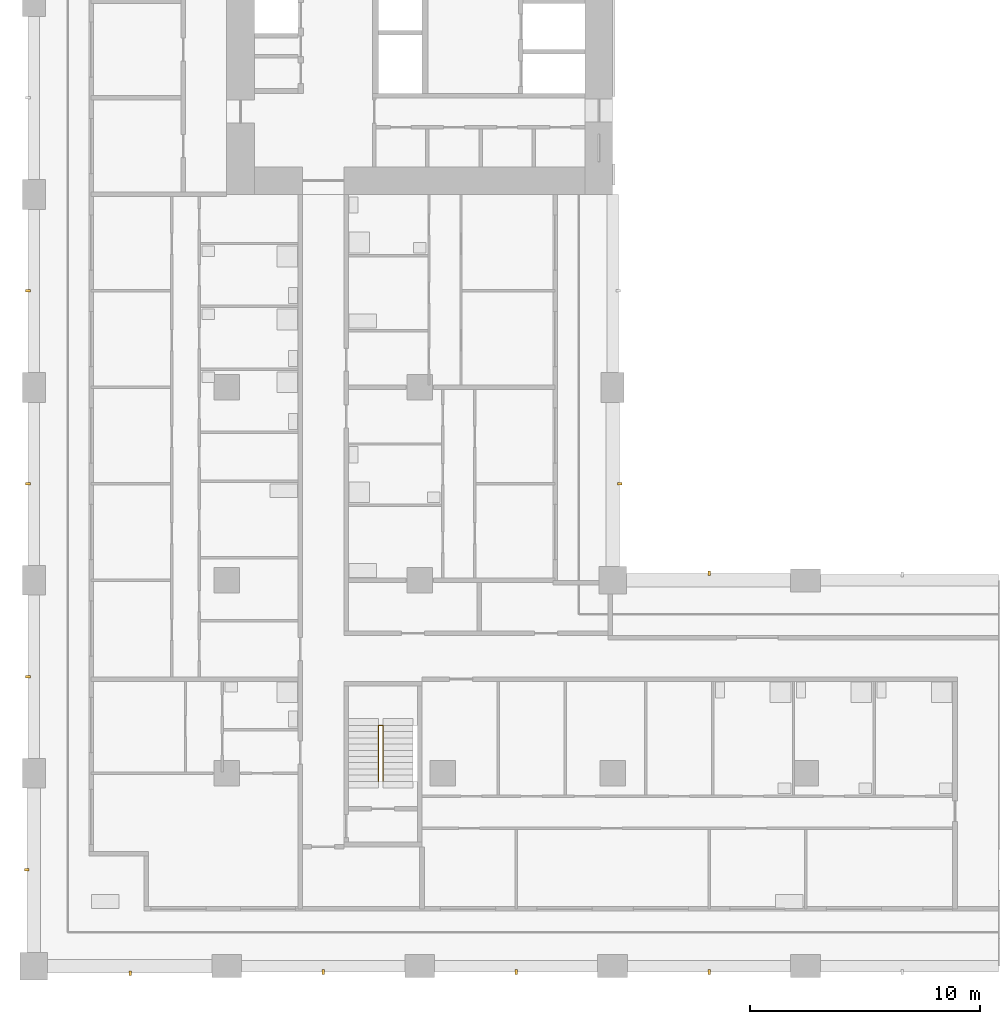
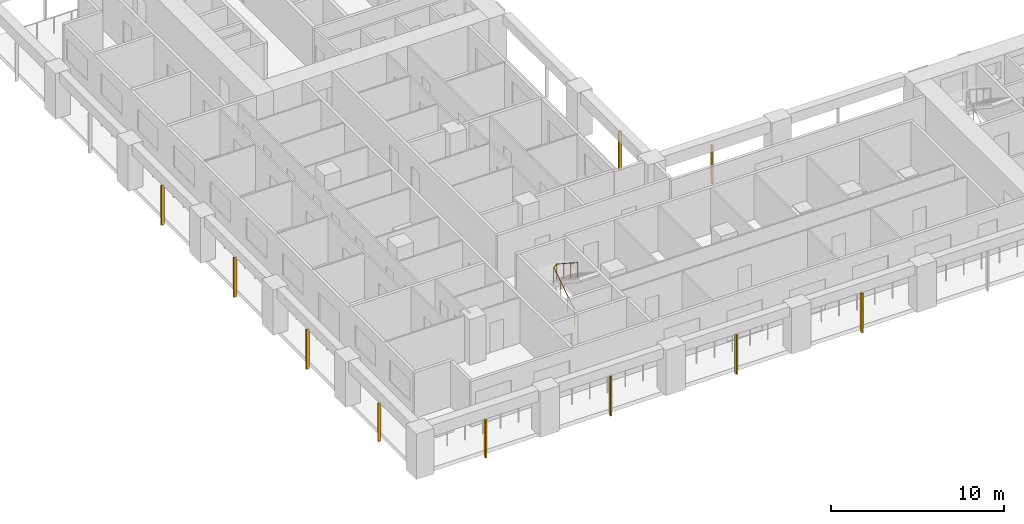
# One storey, part 10 of 17: 10 shading devices, 1 railing.
"""IFC4 building model written with IfcOpenShell, lengths in metres."""

from ifc_helpers import new_model, si_unit, direction, frame, origin, origin_2d, place, context, subcontext, project, spatial, rectangle, circle, extrude, material, material_profile, profile_set, type_object, element, save


model = new_model("IFC4")

# Units and contexts
model_context = context("Model", 3, precision=1e-05, world=origin(), true_north=direction((0.0, 1.0)))
body_context = subcontext(model_context, "Body", "Model", "MODEL_VIEW")
ifc_project = project(units=[si_unit("LENGTHUNIT", "METRE"), si_unit("AREAUNIT", "SQUARE_METRE"), si_unit("VOLUMEUNIT", "CUBIC_METRE"), si_unit("PLANEANGLEUNIT", "RADIAN"), si_unit("MASSUNIT", "GRAM", prefix="KILO")], contexts=[model_context])

# Site, building, storey
site_placement = place(None, origin())
site = spatial("IfcSite", under=ifc_project, at=site_placement, CompositionType="ELEMENT")
building_placement = place(site_placement, origin())
building = spatial("IfcBuilding", under=site, at=building_placement, Name="Vermilion Gate Residences", CompositionType="ELEMENT")
storey_placement = place(building_placement, frame((0.0, 0.0, 91.699951171875)))
storey = spatial("IfcBuildingStorey", under=building, at=storey_placement, Name="L22", CompositionType="ELEMENT", Elevation=91.699951171875)

# Railing
ifc_material_1 = material(Name="Steel S355", Category="steel")
railing_type = type_object("IfcRailingType", Name="STAIR GUARD 1100 STEEL", PredefinedType="GUARDRAIL", material=ifc_material_1)
railing_placement = place(storey_placement, frame((15.0, 16.449951171875, 0.175048828125)))
element("IfcRailing", 1, at=railing_placement, inside=storey, type_object=railing_type, Name="Stair well guard STC1-22", PredefinedType="GUARDRAIL", context=body_context, shape_type="SweptSolid", body=[
    extrude(circle(Radius=0.02392578125, at=origin_2d()), frame((0.0, 0.0, 1.076171875), z_axis=(0.0, 0.839153699163, 0.543894354798), x_axis=(-1.0, 0.0, 0.0)), (0.0, 0.0, 1.0), 2.895751953125),
    extrude(circle(Radius=0.02392578125, at=origin_2d()), frame((0.0, 2.429931640625, 2.65087890625), z_axis=(0.752405939678, 0.0, 0.658699705433), x_axis=(0.0, 1.0, 0.0)), (0.0, 0.0, 1.0), 0.265869140625),
    extrude(circle(Radius=0.02392578125, at=origin_2d()), frame((0.199951171875, 2.429931640625, 2.826171875), z_axis=(0.0, -0.839153699163, 0.543894354798), x_axis=(1.0, 0.0, 0.0)), (0.0, 0.0, 1.0), 2.895751953125),
    extrude(circle(Radius=0.02099609375, at=origin_2d()), origin(), (0.0, 0.0, 1.0), 1.052001953125),
    extrude(circle(Radius=0.02099609375, at=origin_2d()), frame((0.0, 0.81005859375, 0.52490234375)), (0.0, 0.0, 1.0), 1.052001953125),
    extrude(circle(Radius=0.02099609375, at=origin_2d()), frame((0.0, 1.619873046875, 1.050048828125)), (0.0, 0.0, 1.0), 1.052001953125),
    extrude(circle(Radius=0.02099609375, at=origin_2d()), frame((0.0, 2.429931640625, 1.574951171875)), (0.0, 0.0, 1.0), 1.052001953125),
    extrude(circle(Radius=0.02099609375, at=origin_2d()), frame((0.199951171875, 2.429931640625, 1.75)), (0.0, 0.0, 1.0), 1.052001953125),
    extrude(circle(Radius=0.02099609375, at=origin_2d()), frame((0.199951171875, 1.619873046875, 2.27490234375)), (0.0, 0.0, 1.0), 1.052001953125),
    extrude(circle(Radius=0.02099609375, at=origin_2d()), frame((0.199951171875, 0.81005859375, 2.800048828125)), (0.0, 0.0, 1.0), 1.052001953125),
    extrude(circle(Radius=0.02099609375, at=origin_2d()), frame((0.199951171875, 0.0, 3.324951171875)), (0.0, 0.0, 1.0), 1.052001953125),
])

# Shading devices
ifc_material_2 = material(Name="Extruded terracotta", Category="masonry")
ifc_material_profile = material_profile(ifc_material_2, rectangle(XDim=0.199951171875, YDim=0.10009765625, at=origin_2d()), Name="BAGUETTE 100 X 200")
ifc_profile_set = profile_set([ifc_material_profile], Name="Extruded terracotta")
shading_device_type = type_object("IfcShadingDeviceType", Name="TERRACOTTA BAGUETTE 100 X 200", PredefinedType="JALOUSIE", material=ifc_profile_set)
shading_device_placement = place(storey_placement, frame((4.199951171875, 8.10009765625, -0.280029296875), z_axis=(0.0, 0.0, 1.0), x_axis=(0.0, 1.0, 0.0)))
element("IfcShadingDevice", 2, at=shading_device_placement, inside=storey, type_object=shading_device_type, Name="BAGUETTE", PredefinedType="JALOUSIE", context=body_context, shape_type="SweptSolid", body=[
    extrude(rectangle(XDim=0.199951171875, YDim=0.10009765625, at=origin_2d()), origin(), (0.0, 0.0, 1.0), 2.7001953125),
])
for number, where, z_axis, x_axis, name in (
    (3, (12.60009765625, 8.14990234375, -0.280029296875), (0.0, 0.0, 1.0), (0.0, 1.0, 0.0), "BAGUETTE"),
    (4, (21.0, 8.14990234375, -0.280029296875), (0.0, 0.0, 1.0), (0.0, 1.0, 0.0), "BAGUETTE"),
    (5, (29.39990234375, 8.14990234375, -0.280029296875), (0.0, 0.0, 1.0), (0.0, 1.0, 0.0), "BAGUETTE"),
):
    element("IfcShadingDevice", number, at=place(storey_placement, frame(where, z_axis=z_axis, x_axis=x_axis)), inside=storey, type_object=shading_device_type, Name=name, PredefinedType="JALOUSIE", context=body_context, shape_type="SweptSolid", body=[
        extrude(rectangle(XDim=0.199951171875, YDim=0.10009765625, at=origin_2d()), origin(), (0.0, 0.0, 1.0), 2.800048828125),
    ])
for number, where, z_axis, x_axis, name in (
    (6, (29.39990234375, 25.5, -0.280029296875), (0.0, 0.0, 1.0), (0.0, -1.0, 0.0), "BAGUETTE"),
    (7, (25.5, 29.39990234375, -0.280029296875), (0.0, 0.0, 1.0), (-1.0, 0.0, 0.0), "BAGUETTE"),
    (8, (-0.300048828125, 12.60009765625, -0.280029296875), (0.0, 0.0, 1.0), (1.0, 0.0, 0.0), "BAGUETTE"),
):
    element("IfcShadingDevice", number, at=place(storey_placement, frame(where, z_axis=z_axis, x_axis=x_axis)), inside=storey, type_object=shading_device_type, Name=name, PredefinedType="JALOUSIE", context=body_context, shape_type="SweptSolid", body=[
        extrude(rectangle(XDim=0.199951171875, YDim=0.10009765625, at=origin_2d()), origin(), (0.0, 0.0, 1.0), 2.7001953125),
    ])
for number, where, z_axis, x_axis, name in (
    (9, (-0.25, 21.0, -0.280029296875), (0.0, 0.0, 1.0), (1.0, 0.0, 0.0), "BAGUETTE"),
    (10, (-0.25, 29.39990234375, -0.280029296875), (0.0, 0.0, 1.0), (1.0, 0.0, 0.0), "BAGUETTE"),
    (11, (-0.25, 37.800048828125, -0.280029296875), (0.0, 0.0, 1.0), (1.0, 0.0, 0.0), "BAGUETTE"),
):
    element("IfcShadingDevice", number, at=place(storey_placement, frame(where, z_axis=z_axis, x_axis=x_axis)), inside=storey, type_object=shading_device_type, Name=name, PredefinedType="JALOUSIE", context=body_context, shape_type="SweptSolid", body=[
        extrude(rectangle(XDim=0.199951171875, YDim=0.10009765625, at=origin_2d()), origin(), (0.0, 0.0, 1.0), 2.800048828125),
    ])

save(model, "model.ifc")
